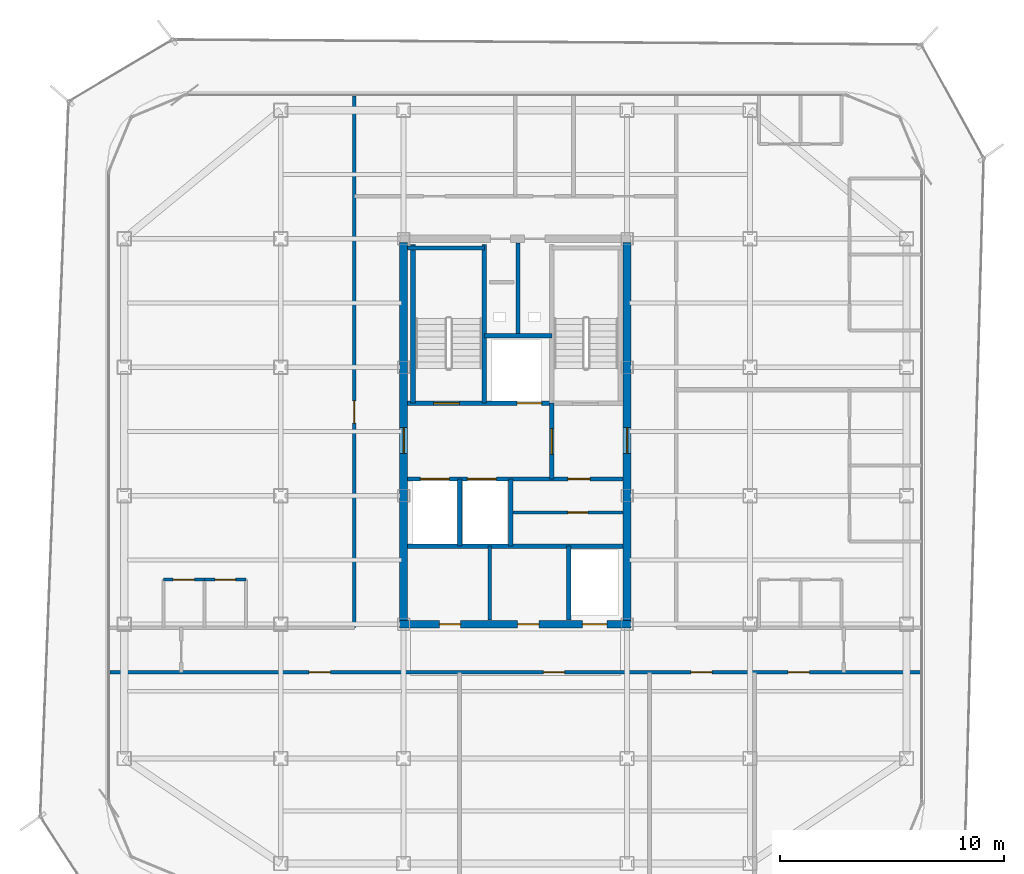
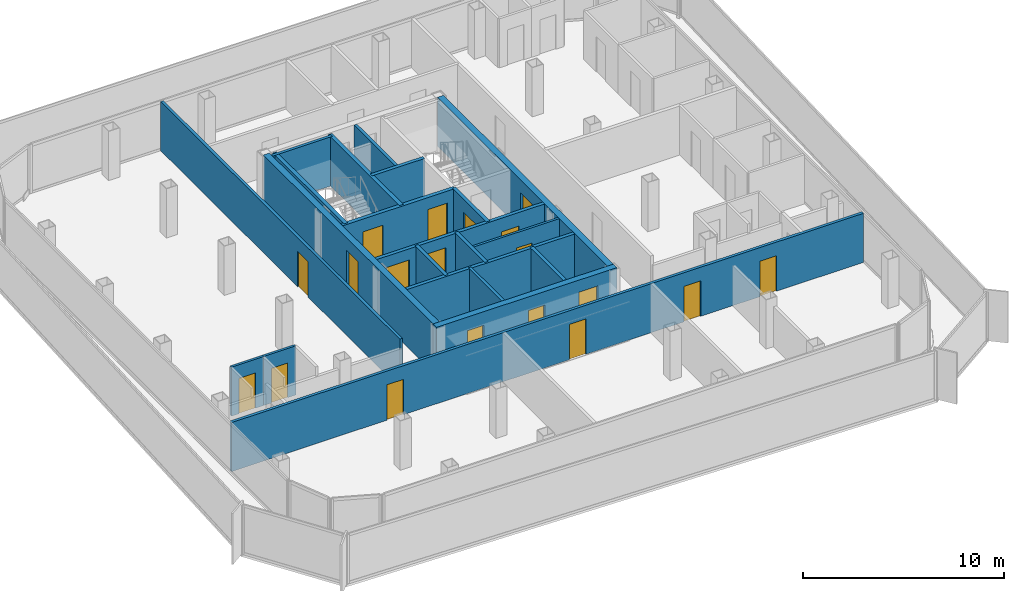
# One storey, part 10 of 15: 21 walls, 19 doors, 19 openings.
"""IFC4 building model written with IfcOpenShell, lengths in metres."""

from ifc_helpers import new_model, si_unit, direction, frame, frame_2d, origin, place, context, subcontext, project, spatial, rectangle, extrude, material, layer, layer_set, type_object, element, fill, save


model = new_model("IFC4")

# Units and contexts
model_context = context("Model", 3, precision=1e-05, world=origin(), true_north=direction((0.0, 1.0)))
body_context = subcontext(model_context, "Body", "Model", "MODEL_VIEW")
ifc_project = project(units=[si_unit("LENGTHUNIT", "METRE"), si_unit("AREAUNIT", "SQUARE_METRE"), si_unit("VOLUMEUNIT", "CUBIC_METRE"), si_unit("PLANEANGLEUNIT", "RADIAN"), si_unit("MASSUNIT", "GRAM", prefix="KILO")], contexts=[model_context])

# Site, building, storey
site_placement = place(None, origin())
site = spatial("IfcSite", under=ifc_project, at=site_placement, CompositionType="ELEMENT")
building_placement = place(site_placement, origin())
building = spatial("IfcBuilding", under=site, at=building_placement, Name="Kolveth Station Tower", CompositionType="ELEMENT")
storey_placement = place(building_placement, frame((0.0, 0.0, 268.10009765625)))
storey = spatial("IfcBuildingStorey", under=building, at=storey_placement, Name="L77", CompositionType="ELEMENT", Elevation=268.10009765625)

# Wall, openings, doors
ifc_material_1 = material(Name="Concrete C50/60", Category="concrete")
ifc_layer_1 = layer(ifc_material_1, 0.35009765625)
ifc_layer_set_1 = layer_set([ifc_layer_1], Name="Concrete C50/60")
wall_type_1 = type_object("IfcWallType", Name="Wall_CW-350", PredefinedType="SHEAR", material=ifc_layer_set_1)
wall_1_placement = place(storey_placement, frame((18.324951171875, 11.5, 0.0), z_axis=(0.0, 0.0, 1.0), x_axis=(1.0, 0.0, 0.0)))
wall_1 = element("IfcWall", 1, at=wall_1_placement, inside=storey, type_object=wall_type_1, Name="L77 Core RC Shear Wall S", PredefinedType="SHEAR", context=body_context, shape_type="SweptSolid", body=[
    extrude(rectangle(XDim=10.35009765625, YDim=0.35009765625, at=frame_2d((5.175048828125, 0.0))), origin(), (0.0, 0.0, 1.0), 2.97998046875),
])
opening_1_placement = place(wall_1_placement, frame((1.77490234375, 0.0, 0.0)))
opening_1 = element("IfcOpeningElement", 2, at=opening_1_placement, cuts=wall_1, Name="Opening ID1", PredefinedType="OPENING", context=body_context, shape_type="SweptSolid", body=[
    extrude(rectangle(XDim=0.949951171875, YDim=2.14990234375, at=frame_2d((0.47509765625, 1.074951171875))), frame((0.0, 0.18505859375, 0.0), z_axis=(0.0, -1.0, 0.0), x_axis=(1.0, 0.0, 0.0)), (0.0, 0.0, 1.0), 0.3701171875),
])
opening_2_placement = place(wall_1_placement, frame((5.27490234375, 0.0, 0.0)))
opening_2 = element("IfcOpeningElement", 3, at=opening_2_placement, cuts=wall_1, Name="Opening ID1", PredefinedType="OPENING", context=body_context, shape_type="SweptSolid", body=[
    extrude(rectangle(XDim=0.949951171875, YDim=2.14990234375, at=frame_2d((0.47509765625, 1.074951171875))), frame((0.0, 0.18505859375, 0.0), z_axis=(0.0, -1.0, 0.0), x_axis=(1.0, 0.0, 0.0)), (0.0, 0.0, 1.0), 0.3701171875),
])
opening_3_placement = place(wall_1_placement, frame((8.175048828125, 0.0, 0.0)))
opening_3 = element("IfcOpeningElement", 4, at=opening_3_placement, cuts=wall_1, Name="Opening LD1", PredefinedType="OPENING", context=body_context, shape_type="SweptSolid", body=[
    extrude(rectangle(XDim=1.10009765625, YDim=2.25, at=frame_2d((0.550048828125, 1.125))), frame((0.0, 0.18505859375, 0.0), z_axis=(0.0, -1.0, 0.0), x_axis=(1.0, 0.0, 0.0)), (0.0, 0.0, 1.0), 0.3701171875),
])
ifc_material_2 = material(Name="Acoustic hardwood leaf and aluminium frame", Category="wood")
door_type_1 = type_object("IfcDoorType", Name="Door_ID1", OperationType="NOTDEFINED", PredefinedType="DOOR", material=ifc_material_2)
door_1_placement = place(opening_1_placement, frame((0.949951171875, 0.0, 0.0), z_axis=(0.0, 0.0, 1.0), x_axis=(-1.0, 0.0, 0.0)))
door_1 = element("IfcDoor", 5, at=door_1_placement, inside=storey, type_object=door_type_1, Name="L77 Laundry Room Door", OperationType="SINGLE_SWING_LEFT", OverallHeight=2.14990234375, OverallWidth=0.949951171875, PredefinedType="DOOR", context=body_context, shape_type="SweptSolid", body=[
    extrude(rectangle(XDim=0.949951171875, YDim=2.14990234375, at=frame_2d((0.47509765625, 1.074951171875))), frame((0.0, 0.02490234375, 0.0), z_axis=(0.0, -1.0, 0.0), x_axis=(1.0, 0.0, 0.0)), (0.0, 0.0, 1.0), 0.050048828125),
])
fill(opening_1, door_1)
door_2_placement = place(opening_2_placement, frame((0.949951171875, 0.0, 0.0), z_axis=(0.0, 0.0, 1.0), x_axis=(-1.0, 0.0, 0.0)))
door_2 = element("IfcDoor", 6, at=door_2_placement, inside=storey, type_object=door_type_1, Name="L77 Parcel Room Door", OperationType="SINGLE_SWING_RIGHT", OverallHeight=2.14990234375, OverallWidth=0.949951171875, PredefinedType="DOOR", context=body_context, shape_type="SweptSolid", body=[
    extrude(rectangle(XDim=0.949951171875, YDim=2.14990234375, at=frame_2d((0.47509765625, 1.074951171875))), frame((0.0, 0.02490234375, 0.0), z_axis=(0.0, -1.0, 0.0), x_axis=(1.0, 0.0, 0.0)), (0.0, 0.0, 1.0), 0.050048828125),
])
fill(opening_2, door_2)
ifc_material_3 = material(Name="Brushed stainless steel sliding landing doors", Category="steel")
door_type_2 = type_object("IfcDoorType", Name="Door_LD1", OperationType="NOTDEFINED", PredefinedType="DOOR", material=ifc_material_3)
door_3_placement = place(opening_3_placement, frame((1.10009765625, 0.0, 0.0), z_axis=(0.0, 0.0, 1.0), x_axis=(-1.0, 0.0, 0.0)))
door_3 = element("IfcDoor", 7, at=door_3_placement, inside=storey, type_object=door_type_2, Name="L77 Lift PH1 Landing Door", OperationType="DOUBLE_DOOR_SLIDING", OverallHeight=2.25, OverallWidth=1.10009765625, PredefinedType="DOOR", context=body_context, shape_type="SweptSolid", body=[
    extrude(rectangle(XDim=1.10009765625, YDim=2.25, at=frame_2d((0.550048828125, 1.125))), frame((0.0, 0.02490234375, 0.0), z_axis=(0.0, -1.0, 0.0), x_axis=(1.0, 0.0, 0.0)), (0.0, 0.0, 1.0), 0.050048828125),
])
fill(opening_3, door_3)

# Wall, opening, door
wall_2_placement = place(storey_placement, frame((18.5, 11.675048828125, 0.0), z_axis=(0.0, 0.0, 1.0), x_axis=(0.0, 1.0, 0.0)))
wall_2 = element("IfcWall", 8, at=wall_2_placement, inside=storey, type_object=wall_type_1, Name="L77 Core RC Shear Wall W", PredefinedType="SHEAR", context=body_context, shape_type="SweptSolid", body=[
    extrude(rectangle(XDim=16.89990234375, YDim=0.35009765625, at=frame_2d((8.449951171875, 0.0))), origin(), (0.0, 0.0, 1.0), 2.97998046875),
])
opening_4_placement = place(wall_2_placement, frame((7.47509765625, 0.0, 0.0)))
opening_4 = element("IfcOpeningElement", 9, at=opening_4_placement, cuts=wall_2, Name="Opening FD1", PredefinedType="OPENING", context=body_context, shape_type="SweptSolid", body=[
    extrude(rectangle(XDim=1.14990234375, YDim=2.199951171875, at=frame_2d((0.574951171875, 1.10009765625))), frame((0.0, 0.18505859375, 0.0), z_axis=(0.0, -1.0, 0.0), x_axis=(1.0, 0.0, 0.0)), (0.0, 0.0, 1.0), 0.3701171875),
])
ifc_material_4 = material(Name="Fire-rated Steel S355 leaf and frame", Category="steel")
door_type_3 = type_object("IfcDoorType", Name="Door_FD1", OperationType="NOTDEFINED", PredefinedType="DOOR", material=ifc_material_4)
door_4_placement = place(opening_4_placement, frame((1.14990234375, 0.0, 0.0), z_axis=(0.0, 0.0, 1.0), x_axis=(-1.0, 0.0, 0.0)))
door_4 = element("IfcDoor", 10, at=door_4_placement, inside=storey, type_object=door_type_3, Name="L77 West Corridor to Firefighting Lobby Door", OperationType="SINGLE_SWING_LEFT", OverallHeight=2.199951171875, OverallWidth=1.14990234375, PredefinedType="DOOR", context=body_context, shape_type="SweptSolid", body=[
    extrude(rectangle(XDim=1.14990234375, YDim=2.199951171875, at=frame_2d((0.574951171875, 1.10009765625))), frame((0.0, 0.02490234375, 0.0), z_axis=(0.0, -1.0, 0.0), x_axis=(1.0, 0.0, 0.0)), (0.0, 0.0, 1.0), 0.050048828125),
])
fill(opening_4, door_4)

wall_3_placement = place(storey_placement, frame((28.5, 11.675048828125, 0.0), z_axis=(0.0, 0.0, 1.0), x_axis=(0.0, 1.0, 0.0)))
wall_3 = element("IfcWall", 11, at=wall_3_placement, inside=storey, type_object=wall_type_1, Name="L77 Core RC Shear Wall E", PredefinedType="SHEAR", context=body_context, shape_type="SweptSolid", body=[
    extrude(rectangle(XDim=16.89990234375, YDim=0.35009765625, at=frame_2d((8.449951171875, 0.0))), origin(), (0.0, 0.0, 1.0), 2.97998046875),
])
opening_5_placement = place(wall_3_placement, frame((7.47509765625, 0.0, 0.0)))
opening_5 = element("IfcOpeningElement", 12, at=opening_5_placement, cuts=wall_3, Name="Opening FD1", PredefinedType="OPENING", context=body_context, shape_type="SweptSolid", body=[
    extrude(rectangle(XDim=1.14990234375, YDim=2.199951171875, at=frame_2d((0.574951171875, 1.10009765625))), frame((0.0, 0.18505859375, 0.0), z_axis=(0.0, -1.0, 0.0), x_axis=(1.0, 0.0, 0.0)), (0.0, 0.0, 1.0), 0.3701171875),
])
door_5_placement = place(opening_5_placement, origin())
door_5 = element("IfcDoor", 13, at=door_5_placement, inside=storey, type_object=door_type_3, Name="L77 East Corridor to Stair Lobby Door", OperationType="SINGLE_SWING_RIGHT", OverallHeight=2.199951171875, OverallWidth=1.14990234375, PredefinedType="DOOR", context=body_context, shape_type="SweptSolid", body=[
    extrude(rectangle(XDim=1.14990234375, YDim=2.199951171875, at=frame_2d((0.574951171875, 1.10009765625))), frame((0.0, 0.02490234375, 0.0), z_axis=(0.0, -1.0, 0.0), x_axis=(1.0, 0.0, 0.0)), (0.0, 0.0, 1.0), 0.050048828125),
])
fill(opening_5, door_5)

ifc_material_5 = material(Name="Moisture-resistant gypsum partition")
ifc_layer_2 = layer(ifc_material_5, 0.135009765625)
ifc_layer_set_2 = layer_set([ifc_layer_2], Name="Moisture-resistant gypsum partition")
wall_type_2 = type_object("IfcWallType", Name="Wall_IW-135", PredefinedType="PARTITIONING", material=ifc_layer_set_2)
wall_4_placement = place(storey_placement, frame((23.300048828125, 16.5, 0.0), z_axis=(0.0, 0.0, 1.0), x_axis=(1.0, 0.0, 0.0)))
wall_4 = element("IfcWall", 14, at=wall_4_placement, inside=storey, type_object=wall_type_2, Name="L77 Partition Wall WL-L77-CB-H1", PredefinedType="PARTITIONING", context=body_context, shape_type="SweptSolid", body=[
    extrude(rectangle(XDim=5.014892578125, YDim=0.135009765625, at=frame_2d((2.50732421875, 0.0))), origin(), (0.0, 0.0, 1.0), 2.97998046875),
])
opening_6_placement = place(wall_4_placement, frame((2.550048828125, 0.0, 0.0)))
opening_6 = element("IfcOpeningElement", 15, at=opening_6_placement, cuts=wall_4, Name="Opening RD1", PredefinedType="OPENING", context=body_context, shape_type="SweptSolid", body=[
    extrude(rectangle(XDim=0.89990234375, YDim=2.050048828125, at=frame_2d((0.449951171875, 1.02490234375))), frame((0.0, 0.077392578125, 0.0), z_axis=(0.0, -1.0, 0.0), x_axis=(1.0, 0.0, 0.0)), (0.0, 0.0, 1.0), 0.155029296875),
])
ifc_material_6 = material(Name="Fire-rated Steel S355 riser access leaf", Category="steel")
door_type_4 = type_object("IfcDoorType", Name="Door_RD1", OperationType="NOTDEFINED", PredefinedType="DOOR", material=ifc_material_6)
door_6_placement = place(opening_6_placement, frame((0.89990234375, 0.0, 0.0), z_axis=(0.0, 0.0, 1.0), x_axis=(-1.0, 0.0, 0.0)))
door_6 = element("IfcDoor", 16, at=door_6_placement, inside=storey, type_object=door_type_4, Name="L77 Core Equipment Store Door", OperationType="SINGLE_SWING_RIGHT", OverallHeight=2.050048828125, OverallWidth=0.89990234375, PredefinedType="DOOR", context=body_context, shape_type="SweptSolid", body=[
    extrude(rectangle(XDim=0.89990234375, YDim=2.050048828125, at=frame_2d((0.449951171875, 1.02490234375))), frame((0.0, 0.02490234375, 0.0), z_axis=(0.0, -1.0, 0.0), x_axis=(1.0, 0.0, 0.0)), (0.0, 0.0, 1.0), 0.050048828125),
])
fill(opening_6, door_6)

wall_5_placement = place(storey_placement, frame((7.75, 13.5, 0.0), z_axis=(0.0, 0.0, 1.0), x_axis=(1.0, 0.0, 0.0)))
wall_5 = element("IfcWall", 17, at=wall_5_placement, inside=storey, type_object=wall_type_2, Name="L77 Partition Wall WL-L77-W1-IBHK", PredefinedType="PARTITIONING", context=body_context, shape_type="SweptSolid", body=[
    extrude(rectangle(XDim=1.85009765625, YDim=0.135009765625, at=frame_2d((0.925048828125, 0.0))), origin(), (0.0, 0.0, 1.0), 2.97998046875),
])
opening_7_placement = place(wall_5_placement, frame((0.445068359375, 0.0, 0.0)))
opening_7 = element("IfcOpeningElement", 18, at=opening_7_placement, cuts=wall_5, Name="Opening ID1", PredefinedType="OPENING", context=body_context, shape_type="SweptSolid", body=[
    extrude(rectangle(XDim=0.949951171875, YDim=2.14990234375, at=frame_2d((0.47509765625, 1.074951171875))), frame((0.0, 0.077392578125, 0.0), z_axis=(0.0, -1.0, 0.0), x_axis=(1.0, 0.0, 0.0)), (0.0, 0.0, 1.0), 0.155029296875),
])
door_7_placement = place(opening_7_placement, origin())
door_7 = element("IfcDoor", 19, at=door_7_placement, inside=storey, type_object=door_type_1, Name="Penthouse Flat L77-W1 Kitchen Door", OperationType="SINGLE_SWING_LEFT", OverallHeight=2.14990234375, OverallWidth=0.949951171875, PredefinedType="DOOR", context=body_context, shape_type="SweptSolid", body=[
    extrude(rectangle(XDim=0.949951171875, YDim=2.14990234375, at=frame_2d((0.47509765625, 1.074951171875))), frame((0.0, 0.02490234375, 0.0), z_axis=(0.0, -1.0, 0.0), x_axis=(1.0, 0.0, 0.0)), (0.0, 0.0, 1.0), 0.050048828125),
])
fill(opening_7, door_7)

wall_6_placement = place(storey_placement, frame((9.60009765625, 13.5, 0.0), z_axis=(0.0, 0.0, 1.0), x_axis=(1.0, 0.0, 0.0)))
wall_6 = element("IfcWall", 20, at=wall_6_placement, inside=storey, type_object=wall_type_2, Name="L77 Partition Wall WL-L77-W1-IBHB", PredefinedType="PARTITIONING", context=body_context, shape_type="SweptSolid", body=[
    extrude(rectangle(XDim=1.849853515625, YDim=0.135009765625, at=frame_2d((0.9248046875, 0.0))), origin(), (0.0, 0.0, 1.0), 2.97998046875),
])
opening_8_placement = place(wall_6_placement, frame((0.465087890625, 0.0, 0.0)))
opening_8 = element("IfcOpeningElement", 21, at=opening_8_placement, cuts=wall_6, Name="Opening ID2", PredefinedType="OPENING", context=body_context, shape_type="SweptSolid", body=[
    extrude(rectangle(XDim=0.919921875, YDim=2.10009765625, at=frame_2d((0.4599609375, 1.050048828125))), frame((0.0, 0.077392578125, 0.0), z_axis=(0.0, -1.0, 0.0), x_axis=(1.0, 0.0, 0.0)), (0.0, 0.0, 1.0), 0.155029296875),
])
ifc_material_7 = material(Name="Moisture-resistant hardwood leaf", Category="wood")
door_type_5 = type_object("IfcDoorType", Name="Door_ID2", OperationType="NOTDEFINED", PredefinedType="DOOR", material=ifc_material_7)
door_8_placement = place(opening_8_placement, origin())
door_8 = element("IfcDoor", 22, at=door_8_placement, inside=storey, type_object=door_type_5, Name="Penthouse Flat L77-W1 Bathroom Door", OperationType="SINGLE_SWING_RIGHT", OverallHeight=2.10009765625, OverallWidth=0.919921875, PredefinedType="DOOR", context=body_context, shape_type="SweptSolid", body=[
    extrude(rectangle(XDim=0.919921875, YDim=2.10009765625, at=frame_2d((0.4599609375, 1.050048828125))), frame((0.0, 0.02490234375, 0.0), z_axis=(0.0, -1.0, 0.0), x_axis=(1.0, 0.0, 0.0)), (0.0, 0.0, 1.0), 0.050048828125),
])
fill(opening_8, door_8)

# Walls
ifc_material_8 = material(Name="Acoustic double-stud gypsum partition")
ifc_layer_3 = layer(ifc_material_8, 0.1650390625)
ifc_layer_set_3 = layer_set([ifc_layer_3], Name="Acoustic double-stud gypsum partition")
wall_type_3 = type_object("IfcWallType", Name="Wall_IW-165", PredefinedType="PARTITIONING", material=ifc_layer_set_3)
wall_7_placement = place(storey_placement, frame((18.68505859375, 28.3349609375, 0.0), z_axis=(0.0, 0.0, 1.0), x_axis=(1.0, 0.0, 0.0)))
element("IfcWall", 23, at=wall_7_placement, inside=storey, type_object=wall_type_3, Name="L77 Stair Shaft Wall WL-L77-ST1-N", PredefinedType="PARTITIONING", context=body_context, shape_type="SweptSolid", body=[
    extrude(rectangle(XDim=3.425048828125, YDim=0.1650390625, at=frame_2d((1.71240234375, 0.0))), origin(), (0.0, 0.0, 1.0), 2.97998046875),
])
wall_8_placement = place(storey_placement, frame((23.6201171875, 24.39990234375, 0.0), z_axis=(0.0, 0.0, 1.0), x_axis=(0.0, 1.0, 0.0)))
element("IfcWall", 24, at=wall_8_placement, inside=storey, type_object=wall_type_3, Name="L77 Partition Wall WL-L77-RSR-M", PredefinedType="PARTITIONING", context=body_context, shape_type="SweptSolid", body=[
    extrude(rectangle(XDim=4.1650390625, YDim=0.1650390625, at=frame_2d((2.08251953125, 0.0))), origin(), (0.0, 0.0, 1.0), 2.97998046875),
])
wall_9_placement = place(storey_placement, frame((22.35009765625, 11.68505859375, 0.0), z_axis=(0.0, 0.0, 1.0), x_axis=(0.0, 1.0, 0.0)))
element("IfcWall", 25, at=wall_9_placement, inside=storey, type_object=wall_type_3, Name="L77 Partition Wall WL-L77-FR-M", PredefinedType="PARTITIONING", context=body_context, shape_type="SweptSolid", body=[
    extrude(rectangle(XDim=3.31494140625, YDim=0.1650390625, at=frame_2d((1.657470703125, 0.0))), origin(), (0.0, 0.0, 1.0), 2.97998046875),
])

# Wall, openings, doors
wall_10_placement = place(storey_placement, frame((5.360107421875, 9.35009765625, 0.0), z_axis=(0.0, 0.0, 1.0), x_axis=(1.0, 0.0, 0.0)))
wall_10 = element("IfcWall", 26, at=wall_10_placement, inside=storey, type_object=wall_type_3, Name="L77 Partition Wall WL-L77-RS", PredefinedType="PARTITIONING", context=body_context, shape_type="SweptSolid", body=[
    extrude(rectangle(XDim=36.27978515625, YDim=0.1650390625, at=frame_2d((18.139892578125, 0.0))), origin(), (0.0, 0.0, 1.0), 2.97998046875),
])
opening_9_placement = place(wall_10_placement, frame((8.919921875, 0.0, 0.0)))
opening_9 = element("IfcOpeningElement", 27, at=opening_9_placement, cuts=wall_10, Name="Opening ID1", PredefinedType="OPENING", context=body_context, shape_type="SweptSolid", body=[
    extrude(rectangle(XDim=0.949951171875, YDim=2.14990234375, at=frame_2d((0.47509765625, 1.074951171875))), frame((0.0, 0.092529296875, 0.0), z_axis=(0.0, -1.0, 0.0), x_axis=(1.0, 0.0, 0.0)), (0.0, 0.0, 1.0), 0.18505859375),
])
opening_10_placement = place(wall_10_placement, frame((19.389892578125, 0.0, 0.0)))
opening_10 = element("IfcOpeningElement", 28, at=opening_10_placement, cuts=wall_10, Name="Opening ID1", PredefinedType="OPENING", context=body_context, shape_type="SweptSolid", body=[
    extrude(rectangle(XDim=0.949951171875, YDim=2.14990234375, at=frame_2d((0.47509765625, 1.074951171875))), frame((0.0, 0.092529296875, 0.0), z_axis=(0.0, -1.0, 0.0), x_axis=(1.0, 0.0, 0.0)), (0.0, 0.0, 1.0), 0.18505859375),
])
opening_11_placement = place(wall_10_placement, frame((25.989990234375, 0.0, 0.0)))
opening_11 = element("IfcOpeningElement", 29, at=opening_11_placement, cuts=wall_10, Name="Opening ID1", PredefinedType="OPENING", context=body_context, shape_type="SweptSolid", body=[
    extrude(rectangle(XDim=0.949951171875, YDim=2.14990234375, at=frame_2d((0.47509765625, 1.074951171875))), frame((0.0, 0.092529296875, 0.0), z_axis=(0.0, -1.0, 0.0), x_axis=(1.0, 0.0, 0.0)), (0.0, 0.0, 1.0), 0.18505859375),
])
opening_12_placement = place(wall_10_placement, frame((30.340087890625, 0.0, 0.0)))
opening_12 = element("IfcOpeningElement", 30, at=opening_12_placement, cuts=wall_10, Name="Opening ID1", PredefinedType="OPENING", context=body_context, shape_type="SweptSolid", body=[
    extrude(rectangle(XDim=0.949951171875, YDim=2.14990234375, at=frame_2d((0.47509765625, 1.074951171875))), frame((0.0, 0.092529296875, 0.0), z_axis=(0.0, -1.0, 0.0), x_axis=(1.0, 0.0, 0.0)), (0.0, 0.0, 1.0), 0.18505859375),
])
door_9_placement = place(opening_9_placement, frame((0.949951171875, 0.0, 0.0), z_axis=(0.0, 0.0, 1.0), x_axis=(-1.0, 0.0, 0.0)))
door_9 = element("IfcDoor", 31, at=door_9_placement, inside=storey, type_object=door_type_1, Name="L77 Sky Club Private Dining Salon Door", OperationType="SINGLE_SWING_LEFT", OverallHeight=2.14990234375, OverallWidth=0.949951171875, PredefinedType="DOOR", context=body_context, shape_type="SweptSolid", body=[
    extrude(rectangle(XDim=0.949951171875, YDim=2.14990234375, at=frame_2d((0.47509765625, 1.074951171875))), frame((0.0, 0.02490234375, 0.0), z_axis=(0.0, -1.0, 0.0), x_axis=(1.0, 0.0, 0.0)), (0.0, 0.0, 1.0), 0.050048828125),
])
fill(opening_9, door_9)
door_10_placement = place(opening_10_placement, frame((0.949951171875, 0.0, 0.0), z_axis=(0.0, 0.0, 1.0), x_axis=(-1.0, 0.0, 0.0)))
door_10 = element("IfcDoor", 32, at=door_10_placement, inside=storey, type_object=door_type_1, Name="L77 Sky Club Wellness Treatment Room Door", OperationType="SINGLE_SWING_LEFT", OverallHeight=2.14990234375, OverallWidth=0.949951171875, PredefinedType="DOOR", context=body_context, shape_type="SweptSolid", body=[
    extrude(rectangle(XDim=0.949951171875, YDim=2.14990234375, at=frame_2d((0.47509765625, 1.074951171875))), frame((0.0, 0.02490234375, 0.0), z_axis=(0.0, -1.0, 0.0), x_axis=(1.0, 0.0, 0.0)), (0.0, 0.0, 1.0), 0.050048828125),
])
fill(opening_10, door_10)
door_11_placement = place(opening_11_placement, frame((0.949951171875, 0.0, 0.0), z_axis=(0.0, 0.0, 1.0), x_axis=(-1.0, 0.0, 0.0)))
door_11 = element("IfcDoor", 33, at=door_11_placement, inside=storey, type_object=door_type_1, Name="L77 Sky Club Catering Pantry Door", OperationType="SINGLE_SWING_LEFT", OverallHeight=2.14990234375, OverallWidth=0.949951171875, PredefinedType="DOOR", context=body_context, shape_type="SweptSolid", body=[
    extrude(rectangle(XDim=0.949951171875, YDim=2.14990234375, at=frame_2d((0.47509765625, 1.074951171875))), frame((0.0, 0.02490234375, 0.0), z_axis=(0.0, -1.0, 0.0), x_axis=(1.0, 0.0, 0.0)), (0.0, 0.0, 1.0), 0.050048828125),
])
fill(opening_11, door_11)
door_12_placement = place(opening_12_placement, frame((0.949951171875, 0.0, 0.0), z_axis=(0.0, 0.0, 1.0), x_axis=(-1.0, 0.0, 0.0)))
door_12 = element("IfcDoor", 34, at=door_12_placement, inside=storey, type_object=door_type_1, Name="L77 Residents' Amenity Room Door", OperationType="SINGLE_SWING_RIGHT", OverallHeight=2.14990234375, OverallWidth=0.949951171875, PredefinedType="DOOR", context=body_context, shape_type="SweptSolid", body=[
    extrude(rectangle(XDim=0.949951171875, YDim=2.14990234375, at=frame_2d((0.47509765625, 1.074951171875))), frame((0.0, 0.02490234375, 0.0), z_axis=(0.0, -1.0, 0.0), x_axis=(1.0, 0.0, 0.0)), (0.0, 0.0, 1.0), 0.050048828125),
])
fill(opening_12, door_12)

# Wall, opening, door
wall_11_placement = place(storey_placement, frame((16.300048828125, 11.35009765625, 0.0), z_axis=(0.0, 0.0, 1.0), x_axis=(0.0, 1.0, 0.0)))
wall_11 = element("IfcWall", 35, at=wall_11_placement, inside=storey, type_object=wall_type_3, Name="L77 Partition Wall WL-L77-RW", PredefinedType="PARTITIONING", context=body_context, shape_type="SweptSolid", body=[
    extrude(rectangle(XDim=23.789794921875, YDim=0.1650390625, at=frame_2d((11.89501953125, 0.0))), origin(), (0.0, 0.0, 1.0), 2.97998046875),
])
opening_13_placement = place(wall_11_placement, frame((9.14990234375, 0.0, 0.0)))
opening_13 = element("IfcOpeningElement", 36, at=opening_13_placement, cuts=wall_11, Name="Opening FD3", PredefinedType="OPENING", context=body_context, shape_type="SweptSolid", body=[
    extrude(rectangle(XDim=1.0, YDim=2.14990234375, at=frame_2d((0.5, 1.074951171875))), frame((0.0, 0.092529296875, 0.0), z_axis=(0.0, -1.0, 0.0), x_axis=(1.0, 0.0, 0.0)), (0.0, 0.0, 1.0), 0.18505859375),
])
ifc_material_9 = material(Name="Fire-rated hardwood leaf and aluminium frame", Category="wood")
door_type_6 = type_object("IfcDoorType", Name="Door_FD3", OperationType="NOTDEFINED", PredefinedType="DOOR", material=ifc_material_9)
door_13_placement = place(opening_13_placement, origin())
door_13 = element("IfcDoor", 37, at=door_13_placement, inside=storey, type_object=door_type_6, Name="Penthouse Flat L77-W1 Entrance Door", OperationType="SINGLE_SWING_LEFT", OverallHeight=2.14990234375, OverallWidth=1.0, PredefinedType="DOOR", context=body_context, shape_type="SweptSolid", body=[
    extrude(rectangle(XDim=1.0, YDim=2.14990234375, at=frame_2d((0.5, 1.074951171875))), frame((0.0, 0.02490234375, 0.0), z_axis=(0.0, -1.0, 0.0), x_axis=(1.0, 0.0, 0.0)), (0.0, 0.0, 1.0), 0.050048828125),
])
fill(opening_13, door_13)

# Wall
ifc_material_10 = material(Name="Acoustic fire-rated gypsum blockwork", Category="masonry")
ifc_layer_4 = layer(ifc_material_10, 0.199951171875)
ifc_layer_set_4 = layer_set([ifc_layer_4], Name="Acoustic fire-rated gypsum blockwork")
wall_type_4 = type_object("IfcWallType", Name="Wall_IW-200", PredefinedType="PARTITIONING", material=ifc_layer_set_4)
wall_12_placement = place(storey_placement, frame((22.110107421875, 24.39990234375, 0.0), z_axis=(0.0, 0.0, 1.0), x_axis=(1.0, 0.0, 0.0)))
element("IfcWall", 38, at=wall_12_placement, inside=storey, type_object=wall_type_4, Name="L77 Partition Wall WL-L77-RSR-S", PredefinedType="PARTITIONING", context=body_context, shape_type="SweptSolid", body=[
    extrude(rectangle(XDim=3.019775390625, YDim=0.199951171875, at=frame_2d((1.509765625, 0.0))), origin(), (0.0, 0.0, 1.0), 2.97998046875),
])

# Wall, opening, door
wall_13_placement = place(storey_placement, frame((25.1298828125, 18.0, 0.0), z_axis=(0.0, 0.0, 1.0), x_axis=(0.0, 1.0, 0.0)))
wall_13 = element("IfcWall", 39, at=wall_13_placement, inside=storey, type_object=wall_type_4, Name="L77 Partition Wall WL-L77-FFL-E", PredefinedType="PARTITIONING", context=body_context, shape_type="SweptSolid", body=[
    extrude(rectangle(XDim=3.389892578125, YDim=0.199951171875, at=frame_2d((1.69482421875, 0.0))), origin(), (0.0, 0.0, 1.0), 2.97998046875),
])
opening_14_placement = place(wall_13_placement, frame((1.10009765625, 0.0, 0.0)))
opening_14 = element("IfcOpeningElement", 40, at=opening_14_placement, cuts=wall_13, Name="Opening FD1", PredefinedType="OPENING", context=body_context, shape_type="SweptSolid", body=[
    extrude(rectangle(XDim=1.14990234375, YDim=2.199951171875, at=frame_2d((0.574951171875, 1.10009765625))), frame((0.0, 0.10986328125, 0.0), z_axis=(0.0, -1.0, 0.0), x_axis=(1.0, 0.0, 0.0)), (0.0, 0.0, 1.0), 0.219970703125),
])
door_14_placement = place(opening_14_placement, origin())
door_14 = element("IfcDoor", 41, at=door_14_placement, inside=storey, type_object=door_type_3, Name="L77 Firefighting to Stair Lobby Door", OperationType="SINGLE_SWING_LEFT", OverallHeight=2.199951171875, OverallWidth=1.14990234375, PredefinedType="DOOR", context=body_context, shape_type="SweptSolid", body=[
    extrude(rectangle(XDim=1.14990234375, YDim=2.199951171875, at=frame_2d((0.574951171875, 1.10009765625))), frame((0.0, 0.02490234375, 0.0), z_axis=(0.0, -1.0, 0.0), x_axis=(1.0, 0.0, 0.0)), (0.0, 0.0, 1.0), 0.050048828125),
])
fill(opening_14, door_14)

# Wall, openings, doors
wall_14_placement = place(storey_placement, frame((18.68505859375, 18.0, 0.0), z_axis=(0.0, 0.0, 1.0), x_axis=(1.0, 0.0, 0.0)))
wall_14 = element("IfcWall", 42, at=wall_14_placement, inside=storey, type_object=wall_type_4, Name="L77 Partition Wall WL-L77-FFL-S", PredefinedType="PARTITIONING", context=body_context, shape_type="SweptSolid", body=[
    extrude(rectangle(XDim=9.6298828125, YDim=0.199951171875, at=frame_2d((4.81494140625, 0.0))), origin(), (0.0, 0.0, 1.0), 2.97998046875),
])
opening_15_placement = place(wall_14_placement, frame((0.56494140625, 0.0, 0.0)))
opening_15 = element("IfcOpeningElement", 43, at=opening_15_placement, cuts=wall_14, Name="Opening LD2", PredefinedType="OPENING", context=body_context, shape_type="SweptSolid", body=[
    extrude(rectangle(XDim=1.300048828125, YDim=2.300048828125, at=frame_2d((0.64990234375, 1.14990234375))), frame((0.0, 0.10986328125, 0.0), z_axis=(0.0, -1.0, 0.0), x_axis=(1.0, 0.0, 0.0)), (0.0, 0.0, 1.0), 0.219970703125),
])
opening_16_placement = place(wall_14_placement, frame((2.6650390625, 0.0, 0.0)))
opening_16 = element("IfcOpeningElement", 44, at=opening_16_placement, cuts=wall_14, Name="Opening LD2", PredefinedType="OPENING", context=body_context, shape_type="SweptSolid", body=[
    extrude(rectangle(XDim=1.300048828125, YDim=2.300048828125, at=frame_2d((0.64990234375, 1.14990234375))), frame((0.0, 0.10986328125, 0.0), z_axis=(0.0, -1.0, 0.0), x_axis=(1.0, 0.0, 0.0)), (0.0, 0.0, 1.0), 0.219970703125),
])
opening_17_placement = place(wall_14_placement, frame((7.1650390625, 0.0, 0.0)))
opening_17 = element("IfcOpeningElement", 45, at=opening_17_placement, cuts=wall_14, Name="Opening FD3", PredefinedType="OPENING", context=body_context, shape_type="SweptSolid", body=[
    extrude(rectangle(XDim=1.0, YDim=2.14990234375, at=frame_2d((0.5, 1.074951171875))), frame((0.0, 0.10986328125, 0.0), z_axis=(0.0, -1.0, 0.0), x_axis=(1.0, 0.0, 0.0)), (0.0, 0.0, 1.0), 0.219970703125),
])
door_15_placement = place(opening_17_placement, frame((1.0, 0.0, 0.0), z_axis=(0.0, 0.0, 1.0), x_axis=(-1.0, 0.0, 0.0)))
door_15 = element("IfcDoor", 46, at=door_15_placement, inside=storey, type_object=door_type_6, Name="L77 Core Linen and Supply Store Door", OperationType="SINGLE_SWING_LEFT", OverallHeight=2.14990234375, OverallWidth=1.0, PredefinedType="DOOR", context=body_context, shape_type="SweptSolid", body=[
    extrude(rectangle(XDim=1.0, YDim=2.14990234375, at=frame_2d((0.5, 1.074951171875))), frame((0.0, 0.02490234375, 0.0), z_axis=(0.0, -1.0, 0.0), x_axis=(1.0, 0.0, 0.0)), (0.0, 0.0, 1.0), 0.050048828125),
])
fill(opening_17, door_15)
ifc_material_11 = material(Name="Firefighting stainless steel sliding landing doors", Category="steel")
door_type_7 = type_object("IfcDoorType", Name="Door_LD2", OperationType="NOTDEFINED", PredefinedType="DOOR", material=ifc_material_11)
door_16_placement = place(opening_15_placement, origin())
door_16 = element("IfcDoor", 47, at=door_16_placement, inside=storey, type_object=door_type_7, Name="L77 Firefighting Lift FF1 Landing Door", OperationType="DOUBLE_DOOR_SLIDING", OverallHeight=2.300048828125, OverallWidth=1.300048828125, PredefinedType="DOOR", context=body_context, shape_type="SweptSolid", body=[
    extrude(rectangle(XDim=1.300048828125, YDim=2.300048828125, at=frame_2d((0.64990234375, 1.14990234375))), frame((0.0, 0.02490234375, 0.0), z_axis=(0.0, -1.0, 0.0), x_axis=(1.0, 0.0, 0.0)), (0.0, 0.0, 1.0), 0.050048828125),
])
fill(opening_15, door_16)
door_17_placement = place(opening_16_placement, origin())
door_17 = element("IfcDoor", 48, at=door_17_placement, inside=storey, type_object=door_type_7, Name="L77 Firefighting Lift FF2 Landing Door", OperationType="DOUBLE_DOOR_SLIDING", OverallHeight=2.300048828125, OverallWidth=1.300048828125, PredefinedType="DOOR", context=body_context, shape_type="SweptSolid", body=[
    extrude(rectangle(XDim=1.300048828125, YDim=2.300048828125, at=frame_2d((0.64990234375, 1.14990234375))), frame((0.0, 0.02490234375, 0.0), z_axis=(0.0, -1.0, 0.0), x_axis=(1.0, 0.0, 0.0)), (0.0, 0.0, 1.0), 0.050048828125),
])
fill(opening_16, door_17)

# Walls
for number, where, z_axis, x_axis, name in (
    (49, (21.02001953125, 15.0, 0.0), (0.0, 0.0, 1.0), (0.0, 1.0, 0.0), "L77 Partition Wall WL-L77-FF12"),
    (50, (23.300048828125, 15.0, 0.0), (0.0, 0.0, 1.0), (0.0, 1.0, 0.0), "L77 Partition Wall WL-L77-FF2E"),
):
    element("IfcWall", number, at=place(storey_placement, frame(where, z_axis=z_axis, x_axis=x_axis)), inside=storey, type_object=wall_type_4, Name=name, PredefinedType="PARTITIONING", context=body_context, shape_type="SweptSolid", body=[
        extrude(rectangle(XDim=3.0, YDim=0.199951171875, at=frame_2d((1.5, 0.0))), origin(), (0.0, 0.0, 1.0), 2.97998046875),
    ])
wall_15_placement = place(storey_placement, frame((18.68505859375, 15.0, 0.0), z_axis=(0.0, 0.0, 1.0), x_axis=(1.0, 0.0, 0.0)))
element("IfcWall", 51, at=wall_15_placement, inside=storey, type_object=wall_type_4, Name="L77 Partition Wall WL-L77-BOH-S", PredefinedType="PARTITIONING", context=body_context, shape_type="SweptSolid", body=[
    extrude(rectangle(XDim=9.6298828125, YDim=0.199951171875, at=frame_2d((4.81494140625, 0.0))), origin(), (0.0, 0.0, 1.0), 2.97998046875),
])
wall_16_placement = place(storey_placement, frame((25.89990234375, 11.68505859375, 0.0), z_axis=(0.0, 0.0, 1.0), x_axis=(0.0, 1.0, 0.0)))
element("IfcWall", 52, at=wall_16_placement, inside=storey, type_object=wall_type_4, Name="L77 Partition Wall WL-L77-PMPH", PredefinedType="PARTITIONING", context=body_context, shape_type="SweptSolid", body=[
    extrude(rectangle(XDim=3.31494140625, YDim=0.199951171875, at=frame_2d((1.657470703125, 0.0))), origin(), (0.0, 0.0, 1.0), 2.97998046875),
])
ifc_material_12 = material(Name="Concrete C40/50", Category="concrete")
ifc_layer_5 = layer(ifc_material_12, 0.219970703125)
ifc_layer_set_5 = layer_set([ifc_layer_5], Name="Concrete C40/50")
wall_type_5 = type_object("IfcWallType", Name="Wall_IW-220", PredefinedType="SOLIDWALL", material=ifc_layer_set_5)
for number, where, z_axis, x_axis, name in (
    (53, (18.929931640625, 21.389892578125, 0.0), (0.0, 0.0, 1.0), (0.0, 1.0, 0.0), "L77 Stair Shaft Wall WL-L77-ST1-W"),
    (54, (22.110107421875, 21.389892578125, 0.0), (0.0, 0.0, 1.0), (0.0, 1.0, 0.0), "L77 Stair Shaft Wall WL-L77-ST1-E"),
):
    element("IfcWall", number, at=place(storey_placement, frame(where, z_axis=z_axis, x_axis=x_axis)), inside=storey, type_object=wall_type_5, Name=name, PredefinedType="SOLIDWALL", context=body_context, shape_type="SweptSolid", body=[
        extrude(rectangle(XDim=7.110107421875, YDim=0.219970703125, at=frame_2d((3.55517578125, 0.0))), origin(), (0.0, 0.0, 1.0), 2.97998046875),
    ])

# Wall, openings, doors
wall_17_placement = place(storey_placement, frame((18.68505859375, 21.389892578125, 0.0), z_axis=(0.0, 0.0, 1.0), x_axis=(1.0, 0.0, 0.0)))
wall_17 = element("IfcWall", 55, at=wall_17_placement, inside=storey, type_object=wall_type_5, Name="L77 Stair Shaft Wall WL-L77-ST1-S", PredefinedType="SOLIDWALL", context=body_context, shape_type="SweptSolid", body=[
    extrude(rectangle(XDim=6.44482421875, YDim=0.219970703125, at=frame_2d((3.222412109375, 0.0))), origin(), (0.0, 0.0, 1.0), 2.97998046875),
])
opening_18_placement = place(wall_17_placement, frame((1.1650390625, 0.0, 0.0)))
opening_18 = element("IfcOpeningElement", 56, at=opening_18_placement, cuts=wall_17, Name="Opening FD1", PredefinedType="OPENING", context=body_context, shape_type="SweptSolid", body=[
    extrude(rectangle(XDim=1.14990234375, YDim=2.199951171875, at=frame_2d((0.574951171875, 1.10009765625))), frame((0.0, 0.119873046875, 0.0), z_axis=(0.0, -1.0, 0.0), x_axis=(1.0, 0.0, 0.0)), (0.0, 0.0, 1.0), 0.239990234375),
])
opening_19_placement = place(wall_17_placement, frame((4.89501953125, 0.0, 0.0)))
opening_19 = element("IfcOpeningElement", 57, at=opening_19_placement, cuts=wall_17, Name="Opening LD1", PredefinedType="OPENING", context=body_context, shape_type="SweptSolid", body=[
    extrude(rectangle(XDim=1.10009765625, YDim=2.25, at=frame_2d((0.550048828125, 1.125))), frame((0.0, 0.119873046875, 0.0), z_axis=(0.0, -1.0, 0.0), x_axis=(1.0, 0.0, 0.0)), (0.0, 0.0, 1.0), 0.239990234375),
])
door_18_placement = place(opening_18_placement, frame((1.14990234375, 0.0, 0.0), z_axis=(0.0, 0.0, 1.0), x_axis=(-1.0, 0.0, 0.0)))
door_18 = element("IfcDoor", 58, at=door_18_placement, inside=storey, type_object=door_type_3, Name="L77 Stair ST1 Fire Door", OperationType="SINGLE_SWING_RIGHT", OverallHeight=2.199951171875, OverallWidth=1.14990234375, PredefinedType="DOOR", context=body_context, shape_type="SweptSolid", body=[
    extrude(rectangle(XDim=1.14990234375, YDim=2.199951171875, at=frame_2d((0.574951171875, 1.10009765625))), frame((0.0, 0.02490234375, 0.0), z_axis=(0.0, -1.0, 0.0), x_axis=(1.0, 0.0, 0.0)), (0.0, 0.0, 1.0), 0.050048828125),
])
fill(opening_18, door_18)
door_19_placement = place(opening_19_placement, frame((1.10009765625, 0.0, 0.0), z_axis=(0.0, 0.0, 1.0), x_axis=(-1.0, 0.0, 0.0)))
door_19 = element("IfcDoor", 59, at=door_19_placement, inside=storey, type_object=door_type_2, Name="L77 Service Lift SV1 Landing Door", OperationType="DOUBLE_DOOR_SLIDING", OverallHeight=2.25, OverallWidth=1.10009765625, PredefinedType="DOOR", context=body_context, shape_type="SweptSolid", body=[
    extrude(rectangle(XDim=1.10009765625, YDim=2.25, at=frame_2d((0.550048828125, 1.125))), frame((0.0, 0.02490234375, 0.0), z_axis=(0.0, -1.0, 0.0), x_axis=(1.0, 0.0, 0.0)), (0.0, 0.0, 1.0), 0.050048828125),
])
fill(opening_19, door_19)

save(model, "model.ifc")
